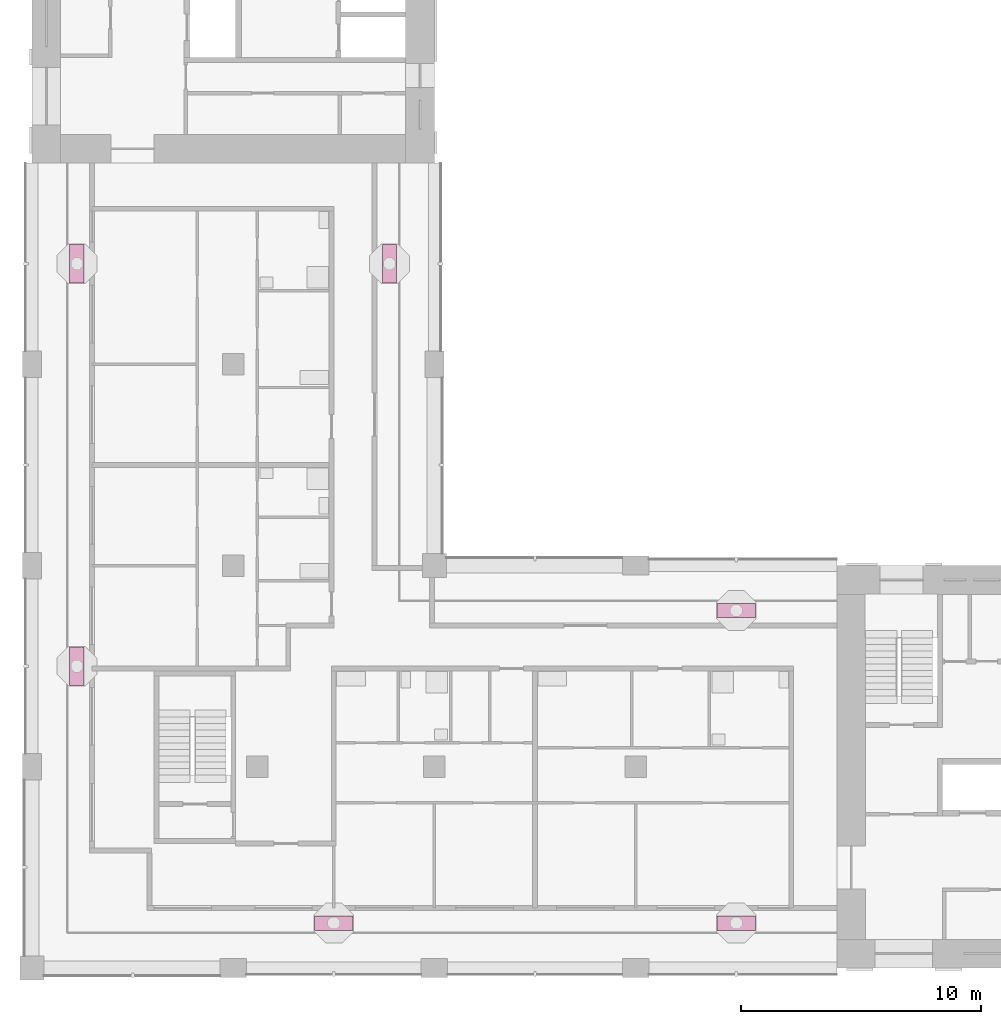
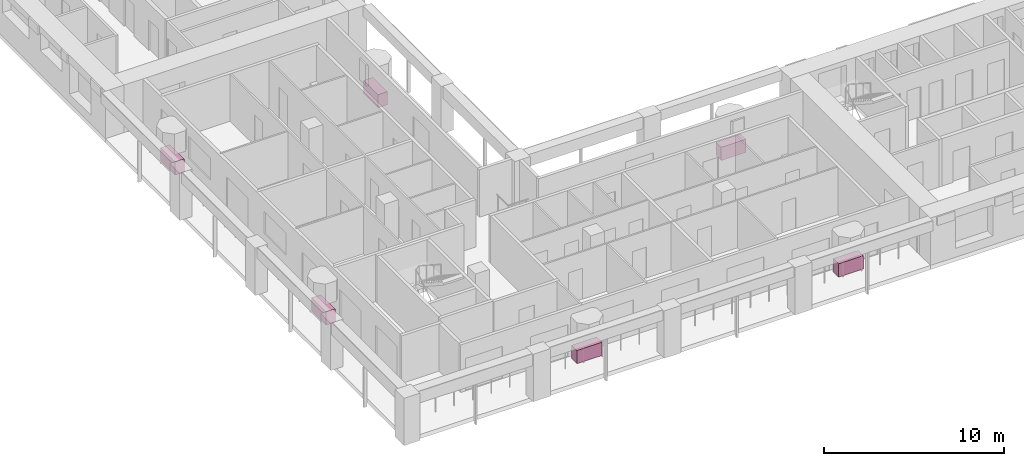
# One storey, part 11 of 12: 6 furniture elements.
"""IFC4 building model written with IfcOpenShell, lengths in metres."""

from ifc_helpers import new_model, si_unit, direction, frame, origin, origin_2d, place, context, subcontext, project, spatial, rectangle, extrude, material, element, save


model = new_model("IFC4")

# Units and contexts
model_context = context("Model", 3, precision=1e-05, world=origin(), true_north=direction((0.0, 1.0)))
body_context = subcontext(model_context, "Body", "Model", "MODEL_VIEW")
ifc_project = project(units=[si_unit("LENGTHUNIT", "METRE"), si_unit("AREAUNIT", "SQUARE_METRE"), si_unit("VOLUMEUNIT", "CUBIC_METRE"), si_unit("PLANEANGLEUNIT", "RADIAN"), si_unit("MASSUNIT", "GRAM", prefix="KILO")], contexts=[model_context])

# Site, building, storey
site_placement = place(None, origin())
site = spatial("IfcSite", under=ifc_project, at=site_placement, CompositionType="ELEMENT")
building_placement = place(site_placement, origin())
building = spatial("IfcBuilding", under=site, at=building_placement, Name="Vermilion Gate Residences", CompositionType="ELEMENT")
storey_placement = place(building_placement, frame((0.0, 0.0, 217.699951171875)))
storey = spatial("IfcBuildingStorey", under=building, at=storey_placement, Name="L56", CompositionType="ELEMENT", Elevation=217.699951171875)

# Furniture
ifc_material = material(Name="Terracotta planter", Category="masonry")
for number, where, z_axis, x_axis, name in (
    (1, (21.0, 10.27490234375, 0.0), (0.0, 0.0, 1.0), (1.0, 0.0, 0.0), "PLANTER"),
    (2, (37.800048828125, 10.27490234375, 0.0), (0.0, 0.0, 1.0), (1.0, 0.0, 0.0), "PLANTER"),
    (3, (37.800048828125, 23.324951171875, 0.0), (0.0, 0.0, 1.0), (-1.0, 0.0, 0.0), "PLANTER"),
    (4, (23.324951171875, 37.800048828125, 0.0), (0.0, 0.0, 1.0), (0.0, 1.0, 0.0), "PLANTER"),
    (5, (10.27490234375, 21.0, 0.0), (0.0, 0.0, 1.0), (0.0, -1.0, 0.0), "PLANTER"),
    (6, (10.27490234375, 37.800048828125, 0.0), (0.0, 0.0, 1.0), (0.0, -1.0, 0.0), "PLANTER"),
):
    element("IfcFurniture", number, at=place(storey_placement, frame(where, z_axis=z_axis, x_axis=x_axis)), inside=storey, material=ifc_material, Name=name, ObjectType="PLANTER", PredefinedType="USERDEFINED", context=body_context, shape_type="SweptSolid", body=[
        extrude(rectangle(XDim=1.60009765625, YDim=0.60009765625, at=origin_2d()), origin(), (0.0, 0.0, 1.0), 0.89990234375),
    ])

save(model, "model.ifc")
